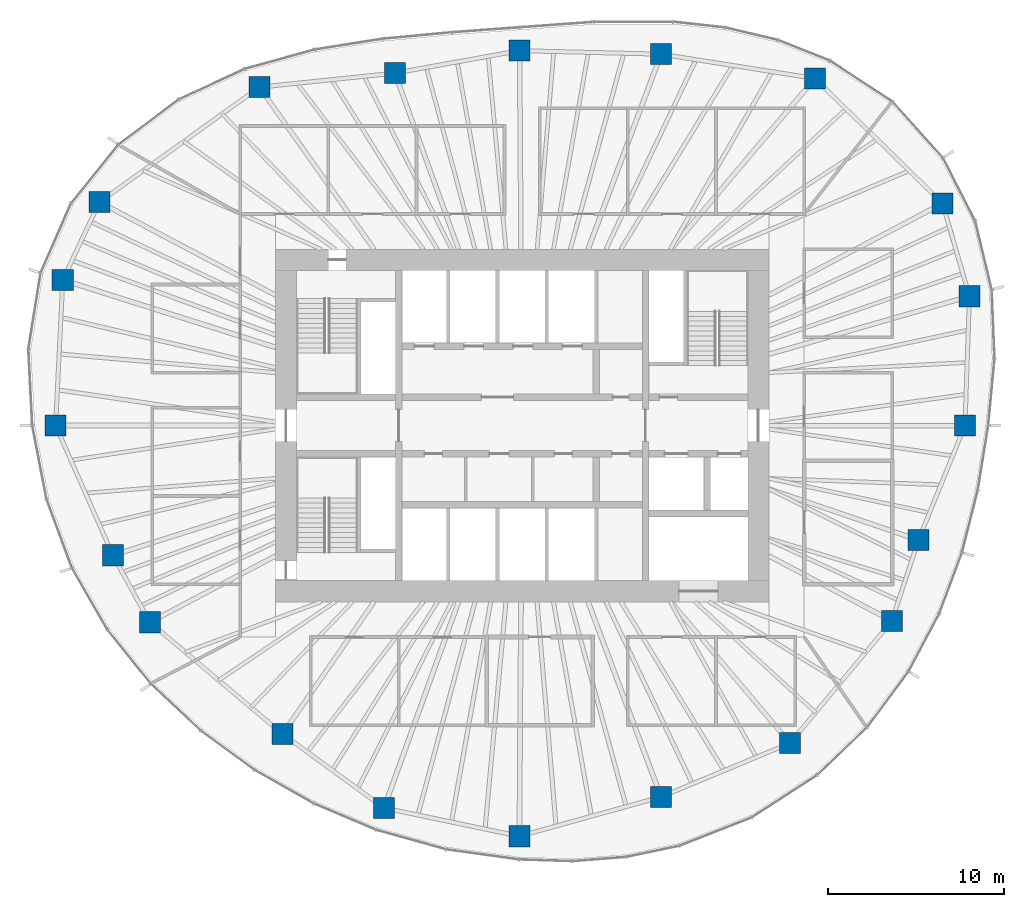
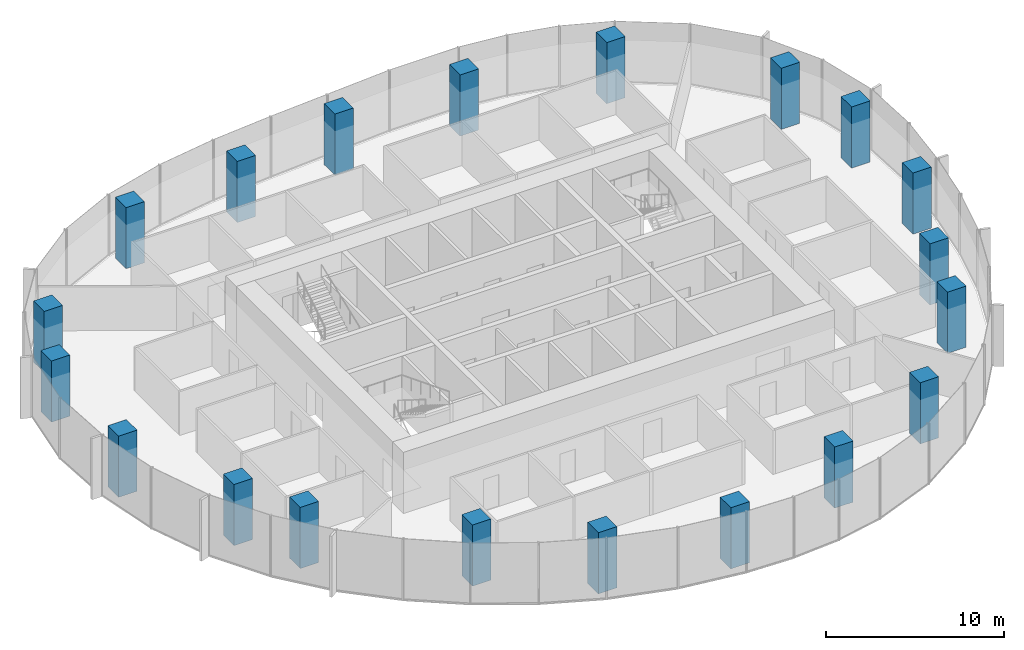
# One storey, part 1 of 12: 20 columns.
"""IFC4 building model written with IfcOpenShell, lengths in metres."""

from ifc_helpers import new_model, si_unit, direction, frame, origin, origin_2d, place, context, subcontext, project, spatial, rectangle, extrude, material, material_profile, profile_set, type_object, element, save


model = new_model("IFC4")

# Units and contexts
model_context = context("Model", 3, precision=1e-05, world=origin(), true_north=direction((0.0, 1.0)))
body_context = subcontext(model_context, "Body", "Model", "MODEL_VIEW")
ifc_project = project(units=[si_unit("LENGTHUNIT", "METRE"), si_unit("AREAUNIT", "SQUARE_METRE"), si_unit("VOLUMEUNIT", "CUBIC_METRE"), si_unit("PLANEANGLEUNIT", "RADIAN"), si_unit("MASSUNIT", "GRAM", prefix="KILO")], contexts=[model_context])

# Site, building, storey
site_placement = place(None, origin())
site = spatial("IfcSite", under=ifc_project, at=site_placement, CompositionType="ELEMENT")
building_placement = place(site_placement, origin())
building = spatial("IfcBuilding", under=site, at=building_placement, Name="Ghaith Harvest Tower", CompositionType="ELEMENT")
storey_placement = place(building_placement, frame((0.0, 0.0, 253.60009765625)))
storey = spatial("IfcBuildingStorey", under=building, at=storey_placement, Name="L56", CompositionType="ELEMENT", Elevation=253.60009765625)

# Columns
ifc_material = material(Name="Concrete C60/75", Category="concrete")
ifc_material_profile = material_profile(ifc_material, rectangle(XDim=1.199951171875, YDim=1.199951171875, at=origin_2d()), Name="RC1200X1200")
ifc_profile_set = profile_set([ifc_material_profile], Name="Concrete C60/75")
column_type = type_object("IfcColumnType", Name="TC6 RC1200X1200", PredefinedType="COLUMN", material=ifc_profile_set)
for number, where, z_axis, x_axis, name in (
    (1, (25.125, 0.0, 0.0), (0.0, 0.0, 1.0), (1.0, 0.0, 0.0), "Perimeter column C01"),
    (2, (25.3779296875, 7.3349609375, 0.0), (0.0, 0.0, 1.0), (1.0, 0.0, 0.0), "Perimeter column C02"),
    (3, (23.85205078125, 12.60693359375, 0.0), (0.0, 0.0, 1.0), (1.0, 0.0, 0.0), "Perimeter column C03"),
    (4, (16.60791015625, 19.695068359375, 0.0), (0.0, 0.0, 1.0), (1.0, 0.0, 0.0), "Perimeter column C04"),
    (5, (7.8779296875, 21.072021484375, 0.0), (0.0, 0.0, 1.0), (1.0, 0.0, 0.0), "Perimeter column C05"),
    (6, (-0.14599609375, 21.27099609375, 0.0), (0.0, 0.0, 1.0), (1.0, 0.0, 0.0), "Perimeter column C06"),
    (7, (-7.221923828125, 19.9970703125, 0.0), (0.0, 0.0, 1.0), (1.0, 0.0, 0.0), "Perimeter column C07"),
    (8, (-14.910888671875, 19.199951171875, 0.0), (0.0, 0.0, 1.0), (1.0, 0.0, 0.0), "Perimeter column C08"),
    (9, (-23.986083984375, 12.677978515625, 0.0), (0.0, 0.0, 1.0), (1.0, 0.0, 0.0), "Perimeter column C09"),
    (10, (-26.06689453125, 8.260986328125, 0.0), (0.0, 0.0, 1.0), (1.0, 0.0, 0.0), "Perimeter column C10"),
    (11, (-26.47509765625, 0.0, 0.0), (0.0, 0.0, 1.0), (1.0, 0.0, 0.0), "Perimeter column C11"),
    (12, (-23.22412109375, -7.360107421875, 0.0), (0.0, 0.0, 1.0), (1.0, 0.0, 0.0), "Perimeter column C12"),
    (13, (-21.125, -11.166015625, 0.0), (0.0, 0.0, 1.0), (1.0, 0.0, 0.0), "Perimeter column C13"),
    (14, (-13.594970703125, -17.5048828125, 0.0), (0.0, 0.0, 1.0), (1.0, 0.0, 0.0), "Perimeter column C14"),
    (15, (-7.837890625, -21.699951171875, 0.0), (0.0, 0.0, 1.0), (1.0, 0.0, 0.0), "Perimeter column C15"),
    (16, (-0.158935546875, -23.304931640625, 0.0), (0.0, 0.0, 1.0), (1.0, 0.0, 0.0), "Perimeter column C16"),
    (17, (7.8779296875, -21.072021484375, 0.0), (0.0, 0.0, 1.0), (1.0, 0.0, 0.0), "Perimeter column C17"),
    (18, (15.197998046875, -18.02294921875, 0.0), (0.0, 0.0, 1.0), (1.0, 0.0, 0.0), "Perimeter column C18"),
    (19, (20.97705078125, -11.087890625, 0.0), (0.0, 0.0, 1.0), (1.0, 0.0, 0.0), "Perimeter column C19"),
    (20, (22.485107421875, -6.4990234375, 0.0), (0.0, 0.0, 1.0), (1.0, 0.0, 0.0), "Perimeter column C20"),
):
    element("IfcColumn", number, at=place(storey_placement, frame(where, z_axis=z_axis, x_axis=x_axis)), inside=storey, type_object=column_type, Name=name, PredefinedType="COLUMN", context=body_context, shape_type="SweptSolid", body=[
        extrude(rectangle(XDim=1.199951171875, YDim=1.199951171875, at=origin_2d()), origin(), (0.0, 0.0, 1.0), 4.199951171875),
    ])

save(model, "model.ifc")
